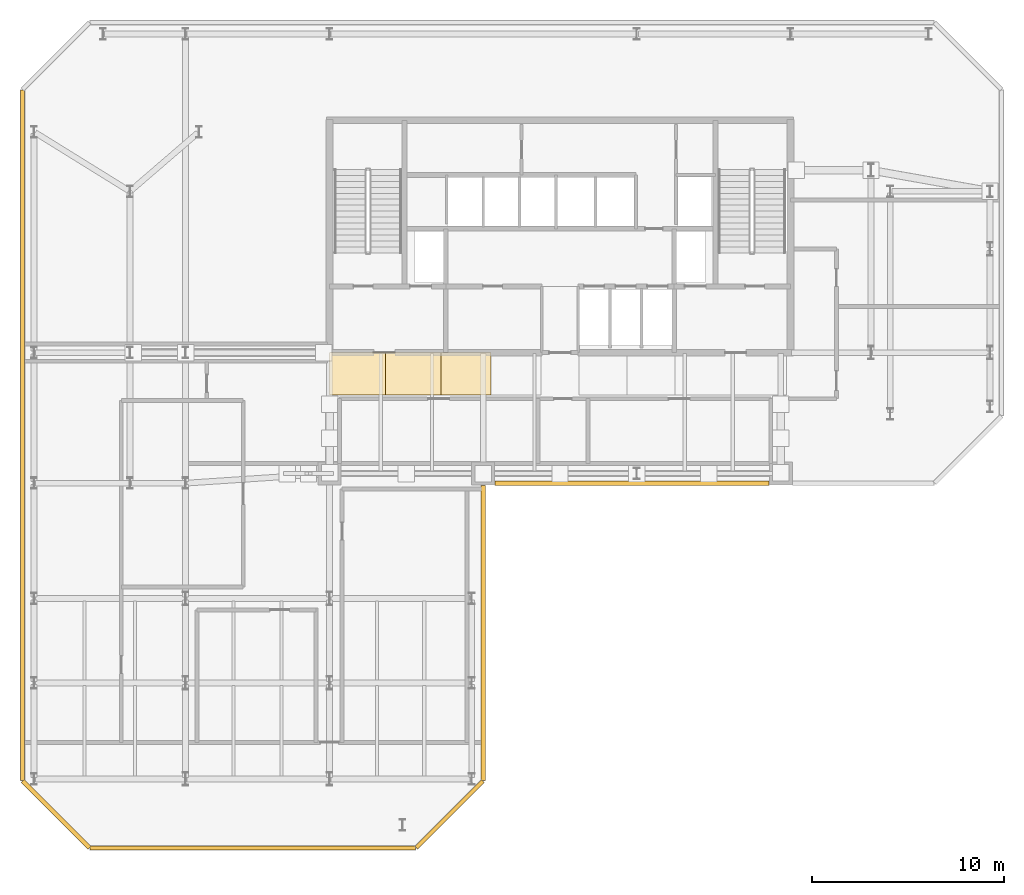
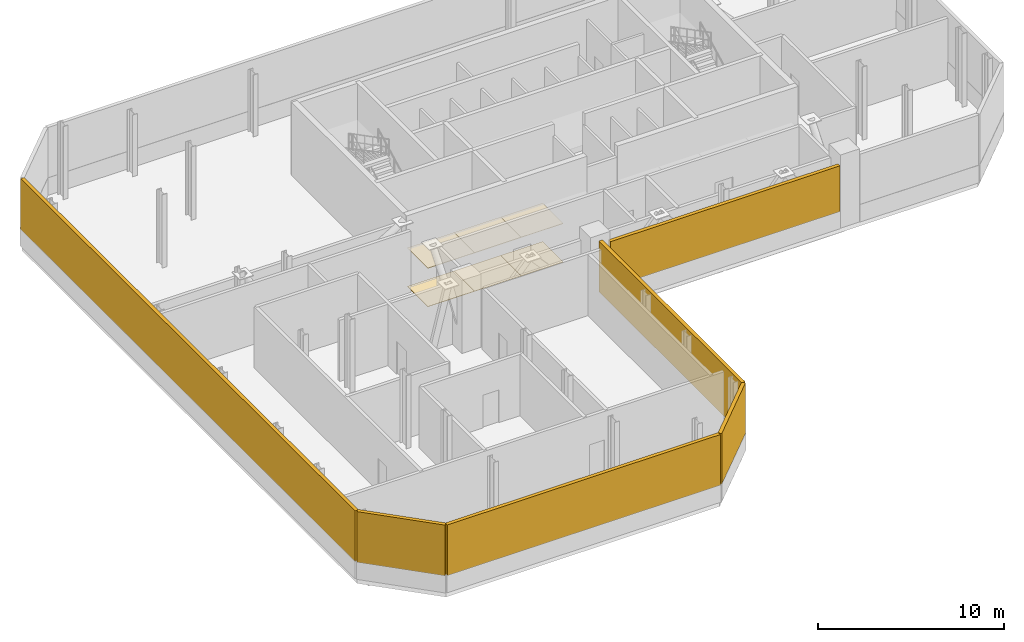
# One storey, part 7 of 9: 6 coverings, 6 shading devices.
"""IFC4 building model written with IfcOpenShell, lengths in metres."""

from ifc_helpers import new_model, si_unit, direction, frame, origin, origin_2d, place, context, subcontext, project, spatial, polyline, rectangle, outline, extrude, material, layer, layer_set, type_object, element, save


model = new_model("IFC4")

# Units and contexts
model_context = context("Model", 3, precision=1e-05, world=origin(), true_north=direction((0.0, 1.0)))
body_context = subcontext(model_context, "Body", "Model", "MODEL_VIEW")
ifc_project = project(units=[si_unit("LENGTHUNIT", "METRE"), si_unit("AREAUNIT", "SQUARE_METRE"), si_unit("VOLUMEUNIT", "CUBIC_METRE"), si_unit("PLANEANGLEUNIT", "RADIAN"), si_unit("MASSUNIT", "GRAM", prefix="KILO")], contexts=[model_context])

# Site, building, storey
site_placement = place(None, origin())
site = spatial("IfcSite", under=ifc_project, at=site_placement, CompositionType="ELEMENT")
building_placement = place(site_placement, origin())
building = spatial("IfcBuilding", under=site, at=building_placement, Name="Catumbela Crestline Tower", CompositionType="ELEMENT")
storey_placement = place(building_placement, frame((0.0, 0.0, 144.0)))
storey = spatial("IfcBuildingStorey", under=building, at=storey_placement, Name="L37", CompositionType="ELEMENT", Elevation=144.0)

# Coverings
ifc_material_1 = material(Name="Mineral-fibre acoustic ceiling")
ifc_layer_1 = layer(ifc_material_1, 0.03, Name="Mineral-fibre acoustic ceiling")
ifc_layer_set_1 = layer_set([ifc_layer_1], Name="Mineral-fibre acoustic ceiling")
covering_type_1 = type_object("IfcCoveringType", Name="CC-AC", PredefinedType="CEILING", material=ifc_layer_set_1)
covering_1_placement = place(storey_placement, frame((0.0, 0.0, 2.52)))
element("IfcCovering", 1, at=covering_1_placement, inside=storey, type_object=covering_type_1, Name="L37 Corridor Acoustic Ceiling Bay 1", PredefinedType="CEILING", context=body_context, shape_type="SweptSolid", body=[
    extrude(outline(polyline([(16.0, 28.6), (18.9, 28.6), (18.9, 30.8), (16.0, 30.8), (16.0, 28.6)])), origin(), (0.0, 0.0, 1.0), 0.03),
])
covering_2_placement = place(storey_placement, frame((0.0, 0.0, 2.52)))
element("IfcCovering", 2, at=covering_2_placement, inside=storey, type_object=covering_type_1, Name="L37 Corridor Acoustic Ceiling Bay 2", PredefinedType="CEILING", context=body_context, shape_type="SweptSolid", body=[
    extrude(outline(polyline([(18.9, 28.6), (21.8, 28.6), (21.8, 30.8), (18.9, 30.8), (18.9, 28.6)])), origin(), (0.0, 0.0, 1.0), 0.03),
])
covering_3_placement = place(storey_placement, frame((0.0, 0.0, 2.52)))
element("IfcCovering", 3, at=covering_3_placement, inside=storey, type_object=covering_type_1, Name="L37 Corridor Acoustic Ceiling Bay 3", PredefinedType="CEILING", context=body_context, shape_type="SweptSolid", body=[
    extrude(outline(polyline([(21.8, 28.6), (24.4, 28.6), (24.4, 30.8), (21.8, 30.8), (21.8, 28.6)])), origin(), (0.0, 0.0, 1.0), 0.03),
])
ifc_material_2 = material(Name="Angolan grey-ochre granite", Category="masonry")
ifc_layer_2 = layer(ifc_material_2, 0.025, Name="Angolan grey-ochre granite")
ifc_layer_set_2 = layer_set([ifc_layer_2], Name="Angolan grey-ochre granite")
covering_type_2 = type_object("IfcCoveringType", Name="CF-GR", PredefinedType="FLOORING", material=ifc_layer_set_2)
covering_4_placement = place(storey_placement, origin())
element("IfcCovering", 4, at=covering_4_placement, inside=storey, type_object=covering_type_2, Name="L37 Corridor Granite Flooring Bay 1", PredefinedType="FLOORING", context=body_context, shape_type="SweptSolid", body=[
    extrude(outline(polyline([(16.0, 28.6), (18.9, 28.6), (18.9, 30.8), (16.0, 30.8), (16.0, 28.6)])), origin(), (0.0, 0.0, 1.0), 0.025),
])
covering_5_placement = place(storey_placement, origin())
element("IfcCovering", 5, at=covering_5_placement, inside=storey, type_object=covering_type_2, Name="L37 Corridor Granite Flooring Bay 2", PredefinedType="FLOORING", context=body_context, shape_type="SweptSolid", body=[
    extrude(outline(polyline([(18.9, 28.6), (21.8, 28.6), (21.8, 30.8), (18.9, 30.8), (18.9, 28.6)])), origin(), (0.0, 0.0, 1.0), 0.025),
])
covering_6_placement = place(storey_placement, origin())
element("IfcCovering", 6, at=covering_6_placement, inside=storey, type_object=covering_type_2, Name="L37 Corridor Granite Flooring Bay 3", PredefinedType="FLOORING", context=body_context, shape_type="SweptSolid", body=[
    extrude(outline(polyline([(21.8, 28.6), (24.4, 28.6), (24.4, 30.8), (21.8, 30.8), (21.8, 28.6)])), origin(), (0.0, 0.0, 1.0), 0.025),
])

# Shading devices
ifc_material_3 = material(Name="Aluminium alloy AW-6060-T66", Category="aluminium")
shading_device_type = type_object("IfcShadingDeviceType", Name="SL-PLT", PredefinedType="JALOUSIE", material=ifc_material_3)
shading_device_1_placement = place(storey_placement, frame((12.0, 5.0, 1.11), z_axis=(0.0, 0.0, 1.0), x_axis=(1.0, 0.0, 0.0)))
element("IfcShadingDevice", 7, at=shading_device_1_placement, inside=storey, type_object=shading_device_type, Name="L37 Acoustic Plant Louvre Bank 13", PredefinedType="JALOUSIE", context=body_context, shape_type="SweptSolid", body=[
    extrude(rectangle(XDim=16.96, YDim=0.22, at=origin_2d()), origin(), (0.0, 0.0, 1.0), 3.33),
])
shading_device_2_placement = place(storey_placement, frame((22.25, 6.75, 1.11), z_axis=(0.0, 0.0, 1.0), x_axis=(0.707106781187, 0.707106781187, 0.0)))
element("IfcShadingDevice", 8, at=shading_device_2_placement, inside=storey, type_object=shading_device_type, Name="L37 Acoustic Plant Louvre Bank 14", PredefinedType="JALOUSIE", context=body_context, shape_type="SweptSolid", body=[
    extrude(rectangle(XDim=4.9097, YDim=0.22, at=origin_2d()), origin(), (0.0, 0.0, 1.0), 3.33),
])
shading_device_3_placement = place(storey_placement, frame((24.0, 16.2, 1.11), z_axis=(0.0, 0.0, 1.0), x_axis=(0.0, 1.0, 0.0)))
element("IfcShadingDevice", 9, at=shading_device_3_placement, inside=storey, type_object=shading_device_type, Name="L37 Acoustic Plant Louvre Bank 15", PredefinedType="JALOUSIE", context=body_context, shape_type="SweptSolid", body=[
    extrude(rectangle(XDim=15.36, YDim=0.22, at=origin_2d()), origin(), (0.0, 0.0, 1.0), 3.33),
])
shading_device_4_placement = place(storey_placement, frame((31.75, 24.0, 1.11), z_axis=(0.0, 0.0, 1.0), x_axis=(1.0, 0.0, 0.0)))
element("IfcShadingDevice", 10, at=shading_device_4_placement, inside=storey, type_object=shading_device_type, Name="L37 Acoustic Plant Louvre Bank 16", PredefinedType="JALOUSIE", context=body_context, shape_type="SweptSolid", body=[
    extrude(rectangle(XDim=14.26, YDim=0.22, at=origin_2d()), origin(), (0.0, 0.0, 1.0), 3.01),
])
shading_device_5_placement = place(storey_placement, frame((0.0, 26.5, 1.11), z_axis=(0.0, 0.0, 1.0), x_axis=(0.0, -1.0, 0.0)))
element("IfcShadingDevice", 11, at=shading_device_5_placement, inside=storey, type_object=shading_device_type, Name="L37 Acoustic Plant Louvre Bank 23", PredefinedType="JALOUSIE", context=body_context, shape_type="SweptSolid", body=[
    extrude(rectangle(XDim=35.96, YDim=0.22, at=origin_2d()), origin(), (0.0, 0.0, 1.0), 3.33),
])
shading_device_6_placement = place(storey_placement, frame((1.75, 6.75, 1.11), z_axis=(0.0, 0.0, 1.0), x_axis=(0.707106781187, -0.707106781187, 0.0)))
element("IfcShadingDevice", 12, at=shading_device_6_placement, inside=storey, type_object=shading_device_type, Name="L37 Acoustic Plant Louvre Bank 24", PredefinedType="JALOUSIE", context=body_context, shape_type="SweptSolid", body=[
    extrude(rectangle(XDim=4.9097, YDim=0.22, at=origin_2d()), origin(), (0.0, 0.0, 1.0), 3.33),
])

save(model, "model.ifc")
